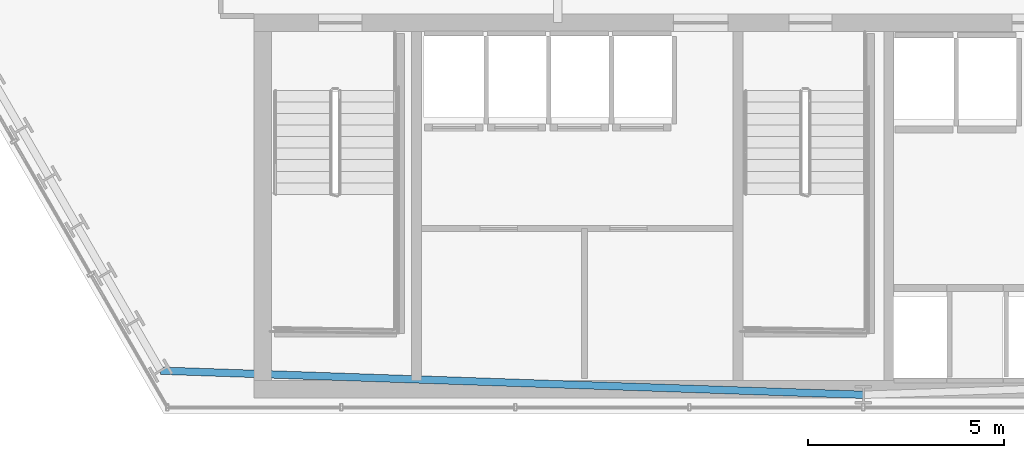
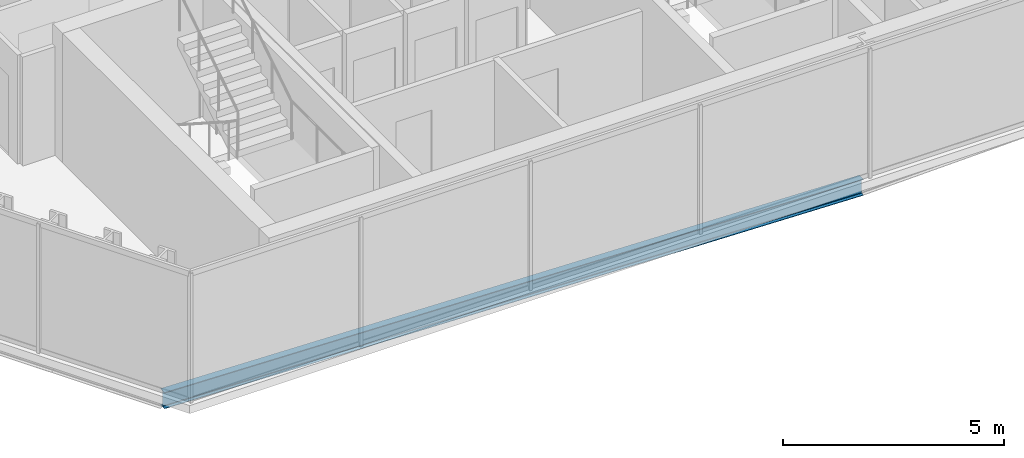
# One storey, part 3 of 31: 1 beam.
"""IFC4 building model written with IfcOpenShell, lengths in metres."""

from ifc_helpers import new_model, si_unit, direction, frame, origin, origin_2d, place, context, subcontext, project, spatial, i_section, extrude, material, material_profile, profile_set, type_object, element, save


model = new_model("IFC4")

# Units and contexts
model_context = context("Model", 3, precision=1e-05, world=origin(), true_north=direction((0.0, 1.0)))
body_context = subcontext(model_context, "Body", "Model", "MODEL_VIEW")
ifc_project = project(units=[si_unit("LENGTHUNIT", "METRE"), si_unit("AREAUNIT", "SQUARE_METRE"), si_unit("VOLUMEUNIT", "CUBIC_METRE"), si_unit("PLANEANGLEUNIT", "RADIAN"), si_unit("MASSUNIT", "GRAM", prefix="KILO")], contexts=[model_context])

# Site, building, storey
site_placement = place(None, origin())
site = spatial("IfcSite", under=ifc_project, at=site_placement, CompositionType="ELEMENT")
building_placement = place(site_placement, origin())
building = spatial("IfcBuilding", under=site, at=building_placement, Name="Ndaravel Arena Tower", CompositionType="ELEMENT")
storey_placement = place(building_placement, frame((0.0, 0.0, 138.39990234375)))
storey = spatial("IfcBuildingStorey", under=building, at=storey_placement, Name="L32", CompositionType="ELEMENT", Elevation=138.39990234375)

# Beam
ifc_material = material(Name="Steel S355", Category="steel")
ifc_material_profile = material_profile(ifc_material, i_section(OverallWidth=0.18994140625, OverallDepth=0.449951171875, WebThickness=0.009521484375, FlangeThickness=0.0146484375, FilletRadius=0.02099609375, at=origin_2d()), Name="IPE 450")
ifc_profile_set = profile_set([ifc_material_profile], Name="Steel S355")
beam_type = type_object("IfcBeamType", Name="BM-SPAN-IPE450", PredefinedType="SPANDREL", material=ifc_profile_set)
beam_placement = place(storey_placement, frame((24.068603515625, 6.096435546875, -0.44482421875), z_axis=(0.99940958159, -0.03435823374, 0.0), x_axis=(0.03435823374, 0.99940958159, 0.0)))
element("IfcBeam", 1, at=beam_placement, inside=storey, type_object=beam_type, Name="L32 Perimeter Spandrel Beam SP-27", PredefinedType="SPANDREL", context=body_context, shape_type="SweptSolid", body=[
    extrude(i_section(OverallWidth=0.18994140625, OverallDepth=0.449951171875, WebThickness=0.009521484375, FlangeThickness=0.0146484375, FilletRadius=0.02099609375, at=origin_2d()), origin(), (0.0, 0.0, 1.0), 17.94189453125),
])

save(model, "model.ifc")
